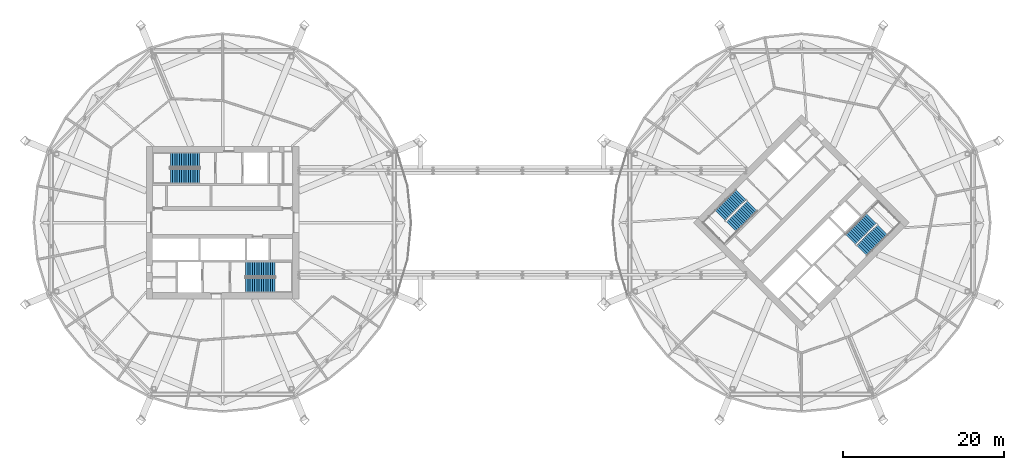
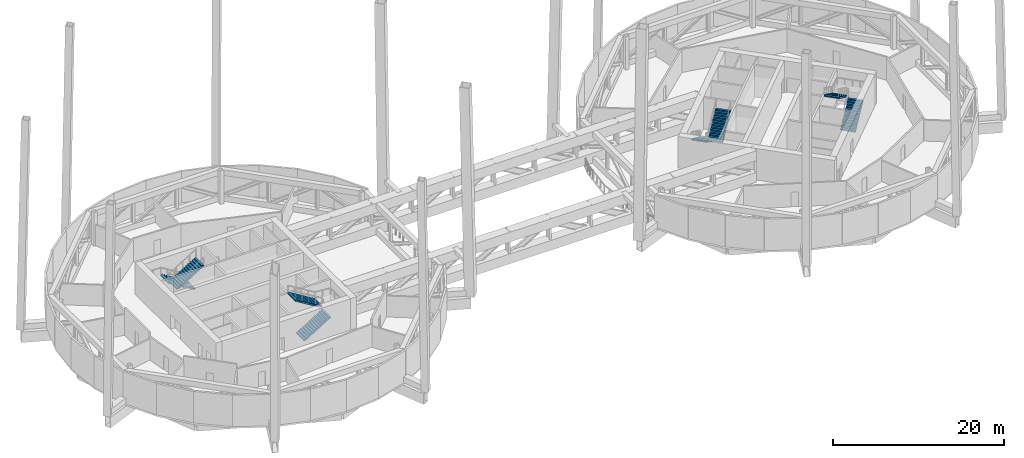
# One storey, part 17 of 19: 8 stair flights, 4 elements without a shape of their own.
"""IFC4 building model written with IfcOpenShell, lengths in metres."""

import ifcopenshell
import ifcopenshell.guid

model = None  # the IFC model being written
_history = None  # IfcOwnerHistory: only IFC2X3 demands one
_inside = {}  # id of a spatial element -> (the spatial element, [elements in it])
_under = {}  # id of a project, library or spatial element -> (it, [spatial elements below it])
_declared = {}  # id of a project -> (the project, [libraries it declares])
_typed = {}  # id of a type object -> (the type object, [elements of that type])
_made_of = {}  # id of a material, layer set ... -> (it, [elements and type objects made of it])


def new_model(schema):
    """Start an empty IFC model of exactly this schema.

    Asked for "IFC4X3", IfcOpenShell would pick the latest addendum, in which some entities
    have other attributes; the version numbers below select the first issue.
    IFC2X3 requires an IfcOwnerHistory on every rooted entity: one is made here for all.
    """
    global model, _history
    if schema == "IFC4X3":
        model = ifcopenshell.file(schema_version=(4, 3, 0, 0))
    else:
        model = ifcopenshell.file(schema=schema)
    _inside.clear()
    _under.clear()
    _declared.clear()
    _typed.clear()
    _made_of.clear()
    _history = None
    if model.schema == "IFC2X3":
        org = make("IfcOrganization", Name="unknown")
        user = make(
            "IfcPersonAndOrganization",
            ThePerson=make("IfcPerson", FamilyName="unknown"),
            TheOrganization=org,
        )
        app = make(
            "IfcApplication",
            ApplicationDeveloper=org,
            Version="unknown",
            ApplicationFullName="unknown",
            ApplicationIdentifier="unknown",
        )
        _history = make(
            "IfcOwnerHistory",
            OwningUser=user,
            OwningApplication=app,
            ChangeAction="ADDED",
            CreationDate=0,
        )
    return model


def make(cls, **values):
    """One entity of the class cls with the attributes given. An attribute that is None is left unset."""
    return model.create_entity(
        cls, **{name: value for name, value in values.items() if value is not None}
    )


def rooted(cls, **values):
    """An entity with a GlobalId (a new one), such as an element, a storey or a relation."""
    return make(cls, GlobalId=ifcopenshell.guid.new(), OwnerHistory=_history, **values)


def si_unit(unit_type, name, prefix=None):
    """IfcSIUnit, for example si_unit("LENGTHUNIT", "METRE", prefix="MILLI")."""
    return make("IfcSIUnit", UnitType=unit_type, Prefix=prefix, Name=name)


def assignment(units):
    """IfcUnitAssignment: the units of a project."""
    return None if units is None else make("IfcUnitAssignment", Units=units)


def point(xyz):
    """IfcCartesianPoint."""
    return None if xyz is None else make("IfcCartesianPoint", Coordinates=xyz)


def direction(xyz):
    """IfcDirection."""
    return None if xyz is None else make("IfcDirection", DirectionRatios=xyz)


def frame(location, z_axis=None, x_axis=None):
    """IfcAxis2Placement3D, a coordinate frame: its origin and axes. An axis left out is left unset."""
    return make(
        "IfcAxis2Placement3D",
        Location=point(location),
        Axis=direction(z_axis),
        RefDirection=direction(x_axis),
    )


def origin():
    """The frame at (0, 0, 0) with its axes left unset."""
    return frame((0.0, 0.0, 0.0))


def place(relative_to, where):
    """IfcLocalPlacement: puts the frame where relative to a parent placement (None: the world)."""
    return make(
        "IfcLocalPlacement", PlacementRelTo=relative_to, RelativePlacement=where
    )


def context(
    kind, dimensions, precision=None, world=None, true_north=None, identifier=None
):
    """IfcGeometricRepresentationContext, for example the 3D "Model" context."""
    return make(
        "IfcGeometricRepresentationContext",
        ContextIdentifier=identifier,
        ContextType=kind,
        CoordinateSpaceDimension=dimensions,
        Precision=precision,
        WorldCoordinateSystem=world,
        TrueNorth=true_north,
    )


def subcontext(parent, identifier, kind, view, scale=None):
    """IfcGeometricRepresentationSubContext, for example "Body" below "Model"."""
    return make(
        "IfcGeometricRepresentationSubContext",
        ContextIdentifier=identifier,
        ContextType=kind,
        ParentContext=parent,
        TargetScale=scale,
        TargetView=view,
    )


def project(units=None, contexts=None):
    """IfcProject with its units and contexts."""
    return rooted(
        "IfcProject",
        Name="project",
        RepresentationContexts=contexts,
        UnitsInContext=assignment(units),
    )


def spatial(cls, under=None, at=None, **own):
    """A site, building, storey or space (cls), placed at a placement, below another one or the project."""
    s = rooted(cls, ObjectPlacement=at, **own)
    if under is not None:
        _under.setdefault(under.id(), (under, []))[1].append(s)
    return s


def polyline(points):
    """IfcPolyline through the points."""
    return make("IfcPolyline", Points=[point(p) for p in points])


def outline(outer, holes=None, kind="AREA"):
    """IfcArbitraryClosedProfileDef: a profile drawn as a closed curve; with holes, ...WithVoids."""
    if holes is None:
        return make("IfcArbitraryClosedProfileDef", ProfileType=kind, OuterCurve=outer)
    return make(
        "IfcArbitraryProfileDefWithVoids",
        ProfileType=kind,
        OuterCurve=outer,
        InnerCurves=holes,
    )


def extrude(swept, where, along, depth):
    """IfcExtrudedAreaSolid: the profile swept, set in the frame where, extruded along a direction by depth."""
    return make(
        "IfcExtrudedAreaSolid",
        SweptArea=swept,
        Position=where,
        ExtrudedDirection=direction(along),
        Depth=depth,
    )


def shape(context_of_items, identifier, shape_type, items):
    """IfcShapeRepresentation: the items that make up one representation, for example the "Body"."""
    return make(
        "IfcShapeRepresentation",
        ContextOfItems=context_of_items,
        RepresentationIdentifier=identifier,
        RepresentationType=shape_type,
        Items=items,
    )


def material(Name=None, Category=None):
    """IfcMaterial."""
    return make("IfcMaterial", Name=Name, Category=Category)


def made_of(thing, what):
    """Note that an element or type object is made of a material, layer set ...; save() writes the relation."""
    if what is not None:
        _made_of.setdefault(what.id(), (what, []))[1].append(thing)
    return thing


def type_object(cls, material=None, **own):
    """A type object (cls), such as IfcWallType, which elements share."""
    return made_of(rooted(cls, **own), material)


def element(
    cls,
    number,
    at=None,
    inside=None,
    cuts=None,
    type_object=None,
    material=None,
    context=None,
    identifier="Body",
    shape_type=None,
    held_by="IfcProductDefinitionShape",
    body=None,
    shapes=None,
    **own,
):
    """One element of the class cls, such as IfcWall. Its Tag is "e" and its number.

    at: its placement. inside: the storey or other place that contains it. cuts: it is an
    opening in that element (IfcRelVoidsElement). A single representation is given by context,
    identifier, shape_type and body (its items); several are given by shapes. held_by: the class
    of the entity that holds the representations. save() writes the other relations.
    """
    e = rooted(cls, Tag="e%d" % number, ObjectPlacement=at, **own)
    if body is not None:
        shapes = [shape(context, identifier, shape_type, body)]
    if shapes is not None:
        e.Representation = make(held_by, Representations=shapes)
    if inside is not None:
        _inside.setdefault(inside.id(), (inside, []))[1].append(e)
    if cuts is not None:
        rooted(
            "IfcRelVoidsElement", RelatingBuildingElement=cuts, RelatedOpeningElement=e
        )
    if type_object is not None:
        _typed.setdefault(type_object.id(), (type_object, []))[1].append(e)
    return made_of(e, material)


def aggregate(whole, parts):
    """IfcRelAggregates: a whole, such as a stair, and the parts it consists of."""
    return rooted("IfcRelAggregates", RelatingObject=whole, RelatedObjects=parts)


def save(model, path):
    """Write the relations noted so far, then the file.

    IfcRelAggregates (storeys below a building ...), IfcRelContainedInSpatialStructure (elements
    in a storey), IfcRelDefinesByType, IfcRelAssociatesMaterial and IfcRelDeclares: one each for
    every whole, place, type object, material and project.
    """
    for whole, parts in _under.values():
        aggregate(whole, parts)
    for where, things in _inside.values():
        rooted(
            "IfcRelContainedInSpatialStructure",
            RelatedElements=things,
            RelatingStructure=where,
        )
    for kind, things in _typed.values():
        rooted("IfcRelDefinesByType", RelatedObjects=things, RelatingType=kind)
    for what, things in _made_of.values():
        rooted("IfcRelAssociatesMaterial", RelatedObjects=things, RelatingMaterial=what)
    for by, libraries in _declared.values():
        rooted("IfcRelDeclares", RelatingContext=by, RelatedDefinitions=libraries)
    model.write(path)


model = new_model("IFC4")

# Units and contexts
model_context = context("Model", 3, precision=1e-05, world=origin(), true_north=direction((0.0, 1.0)))
body_context = subcontext(model_context, "Body", "Model", "MODEL_VIEW")
ifc_project = project(units=[si_unit("LENGTHUNIT", "METRE"), si_unit("AREAUNIT", "SQUARE_METRE"), si_unit("VOLUMEUNIT", "CUBIC_METRE"), si_unit("PLANEANGLEUNIT", "RADIAN"), si_unit("MASSUNIT", "GRAM", prefix="KILO")], contexts=[model_context])

# Site, building, storey
site_placement = place(None, origin())
site = spatial("IfcSite", under=ifc_project, at=site_placement, CompositionType="ELEMENT")
building_placement = place(site_placement, origin())
building = spatial("IfcBuilding", under=site, at=building_placement, Name="Ogive Gate Towers", CompositionType="ELEMENT")
storey_placement = place(building_placement, frame((0.0, 0.0, 130.800048828125)))
storey = spatial("IfcBuildingStorey", under=building, at=storey_placement, Name="L31", CompositionType="ELEMENT", Elevation=130.800048828125)

# Stair, stair flights
ifc_material = material(Name="Concrete C40/50", Category="concrete")
stair_type = type_object("IfcStairType", Name="Escape stair 1840 wide", PredefinedType="HALF_TURN_STAIR", material=ifc_material)
stair_1_placement = place(storey_placement, origin())
stair_1 = element("IfcStair", 1, at=stair_1_placement, inside=storey, type_object=stair_type, Name="L31 Escape stair 1", PredefinedType="HALF_TURN_STAIR")
stair_flight_type = type_object("IfcStairFlightType", Name="Stair flight 1840 wide", PredefinedType="STRAIGHT", material=ifc_material)
stair_flight_1_placement = place(storey_placement, frame((-38.864990234375, 7.780029296875, 0.0), z_axis=(0.0, 0.0, 1.0), x_axis=(-1.0, 0.0, 0.0)))
stair_flight_1 = element("IfcStairFlight", 2, at=stair_flight_1_placement, type_object=stair_flight_type, Name="ST1 flight 1", NumberOfRisers=14, NumberOfTreads=13, PredefinedType="STRAIGHT", RiserHeight=0.171428571, TreadLength=0.28, context=body_context, shape_type="SweptSolid", body=[
    extrude(outline(polyline([(0.0, 0.0), (0.0, 0.17138671875), (0.280029296875, 0.17138671875), (0.280029296875, 0.3427734375), (0.56005859375, 0.3427734375), (0.56005859375, 0.514404296875), (0.840087890625, 0.514404296875), (0.840087890625, 0.685791015625), (1.1201171875, 0.685791015625), (1.1201171875, 0.857177734375), (1.39990234375, 0.857177734375), (1.39990234375, 1.028564453125), (1.679931640625, 1.028564453125), (1.679931640625, 1.199951171875), (1.9599609375, 1.199951171875), (1.9599609375, 1.371337890625), (2.239990234375, 1.371337890625), (2.239990234375, 1.54296875), (2.52001953125, 1.54296875), (2.52001953125, 1.71435546875), (2.800048828125, 1.71435546875), (2.800048828125, 1.8857421875), (3.080078125, 1.8857421875), (3.080078125, 2.05712890625), (3.360107421875, 2.05712890625), (3.360107421875, 2.228515625), (3.639892578125, 2.228515625), (3.639892578125, 2.39990234375), (3.639892578125, 2.052734375), (0.287109375, 0.0), (0.0, 0.0)])), frame((0.0, 0.919921875, 0.0), z_axis=(0.0, -1.0, 0.0), x_axis=(1.0, 0.0, 0.0)), (0.0, 0.0, 1.0), 1.840087890625),
])
stair_flight_2_placement = place(storey_placement, frame((-42.5048828125, 5.794921875, 2.39990234375), z_axis=(0.0, 0.0, 1.0), x_axis=(1.0, 0.0, 0.0)))
stair_flight_2 = element("IfcStairFlight", 3, at=stair_flight_2_placement, type_object=stair_flight_type, Name="ST1 flight 2", NumberOfRisers=14, NumberOfTreads=13, PredefinedType="STRAIGHT", RiserHeight=0.171428571, TreadLength=0.28, context=body_context, shape_type="SweptSolid", body=[
    extrude(outline(polyline([(0.0, 0.0), (0.0, 0.17138671875), (0.280029296875, 0.17138671875), (0.280029296875, 0.3427734375), (0.56005859375, 0.3427734375), (0.56005859375, 0.514404296875), (0.840087890625, 0.514404296875), (0.840087890625, 0.685791015625), (1.1201171875, 0.685791015625), (1.1201171875, 0.857177734375), (1.39990234375, 0.857177734375), (1.39990234375, 1.028564453125), (1.679931640625, 1.028564453125), (1.679931640625, 1.199951171875), (1.9599609375, 1.199951171875), (1.9599609375, 1.371337890625), (2.239990234375, 1.371337890625), (2.239990234375, 1.54296875), (2.52001953125, 1.54296875), (2.52001953125, 1.71435546875), (2.800048828125, 1.71435546875), (2.800048828125, 1.8857421875), (3.080078125, 1.8857421875), (3.080078125, 2.05712890625), (3.360107421875, 2.05712890625), (3.360107421875, 2.228515625), (3.639892578125, 2.228515625), (3.639892578125, 2.39990234375), (3.639892578125, 2.052734375), (0.287109375, 0.0), (0.0, 0.0)])), frame((0.0, 0.919921875, 0.0), z_axis=(0.0, -1.0, 0.0), x_axis=(1.0, 0.0, 0.0)), (0.0, 0.0, 1.0), 1.840087890625),
])
aggregate(stair_1, [stair_flight_1, stair_flight_2])

stair_2_placement = place(storey_placement, origin())
stair_2 = element("IfcStair", 4, at=stair_2_placement, inside=storey, type_object=stair_type, Name="L31 Escape stair 2", PredefinedType="HALF_TURN_STAIR")
stair_flight_3_placement = place(storey_placement, frame((-33.135009765625, -7.780029296875, 0.0), z_axis=(0.0, 0.0, 1.0), x_axis=(1.0, 0.0, 0.0)))
stair_flight_3 = element("IfcStairFlight", 5, at=stair_flight_3_placement, type_object=stair_flight_type, Name="ST2 flight 1", NumberOfRisers=14, NumberOfTreads=13, PredefinedType="STRAIGHT", RiserHeight=0.171428571, TreadLength=0.28, context=body_context, shape_type="SweptSolid", body=[
    extrude(outline(polyline([(0.0, 0.0), (0.0, 0.17138671875), (0.280029296875, 0.17138671875), (0.280029296875, 0.3427734375), (0.56005859375, 0.3427734375), (0.56005859375, 0.514404296875), (0.840087890625, 0.514404296875), (0.840087890625, 0.685791015625), (1.1201171875, 0.685791015625), (1.1201171875, 0.857177734375), (1.39990234375, 0.857177734375), (1.39990234375, 1.028564453125), (1.679931640625, 1.028564453125), (1.679931640625, 1.199951171875), (1.9599609375, 1.199951171875), (1.9599609375, 1.371337890625), (2.239990234375, 1.371337890625), (2.239990234375, 1.54296875), (2.52001953125, 1.54296875), (2.52001953125, 1.71435546875), (2.800048828125, 1.71435546875), (2.800048828125, 1.8857421875), (3.080078125, 1.8857421875), (3.080078125, 2.05712890625), (3.360107421875, 2.05712890625), (3.360107421875, 2.228515625), (3.639892578125, 2.228515625), (3.639892578125, 2.39990234375), (3.639892578125, 2.052734375), (0.287109375, 0.0), (0.0, 0.0)])), frame((0.0, 0.919921875, 0.0), z_axis=(0.0, -1.0, 0.0), x_axis=(1.0, 0.0, 0.0)), (0.0, 0.0, 1.0), 1.840087890625),
])
stair_flight_4_placement = place(storey_placement, frame((-29.4951171875, -5.794921875, 2.39990234375), z_axis=(0.0, 0.0, 1.0), x_axis=(-1.0, 0.0, 0.0)))
stair_flight_4 = element("IfcStairFlight", 6, at=stair_flight_4_placement, type_object=stair_flight_type, Name="ST2 flight 2", NumberOfRisers=14, NumberOfTreads=13, PredefinedType="STRAIGHT", RiserHeight=0.171428571, TreadLength=0.28, context=body_context, shape_type="SweptSolid", body=[
    extrude(outline(polyline([(0.0, 0.0), (0.0, 0.17138671875), (0.280029296875, 0.17138671875), (0.280029296875, 0.3427734375), (0.56005859375, 0.3427734375), (0.56005859375, 0.514404296875), (0.840087890625, 0.514404296875), (0.840087890625, 0.685791015625), (1.1201171875, 0.685791015625), (1.1201171875, 0.857177734375), (1.39990234375, 0.857177734375), (1.39990234375, 1.028564453125), (1.679931640625, 1.028564453125), (1.679931640625, 1.199951171875), (1.9599609375, 1.199951171875), (1.9599609375, 1.371337890625), (2.239990234375, 1.371337890625), (2.239990234375, 1.54296875), (2.52001953125, 1.54296875), (2.52001953125, 1.71435546875), (2.800048828125, 1.71435546875), (2.800048828125, 1.8857421875), (3.080078125, 1.8857421875), (3.080078125, 2.05712890625), (3.360107421875, 2.05712890625), (3.360107421875, 2.228515625), (3.639892578125, 2.228515625), (3.639892578125, 2.39990234375), (3.639892578125, 2.052734375), (0.287109375, 0.0), (0.0, 0.0)])), frame((0.0, 0.919921875, 0.0), z_axis=(0.0, -1.0, 0.0), x_axis=(1.0, 0.0, 0.0)), (0.0, 0.0, 1.0), 1.840087890625),
])
aggregate(stair_2, [stair_flight_3, stair_flight_4])

stair_3_placement = place(storey_placement, origin())
stair_3 = element("IfcStair", 7, at=stair_3_placement, inside=storey, type_object=stair_type, Name="L31 Escape stair 1", PredefinedType="HALF_TURN_STAIR")
stair_flight_5_placement = place(storey_placement, frame((28.472900390625, 3.475341796875, 0.0), z_axis=(0.0, 0.0, 1.0), x_axis=(-0.707106781187, -0.707106781187, 0.0)))
stair_flight_5 = element("IfcStairFlight", 8, at=stair_flight_5_placement, type_object=stair_flight_type, Name="ST1 flight 1", NumberOfRisers=14, NumberOfTreads=13, PredefinedType="STRAIGHT", RiserHeight=0.171428571, TreadLength=0.28, context=body_context, shape_type="SweptSolid", body=[
    extrude(outline(polyline([(0.0, 0.0), (0.0, 0.17138671875), (0.280029296875, 0.17138671875), (0.280029296875, 0.3427734375), (0.56005859375, 0.3427734375), (0.56005859375, 0.514404296875), (0.840087890625, 0.514404296875), (0.840087890625, 0.685791015625), (1.1201171875, 0.685791015625), (1.1201171875, 0.857177734375), (1.39990234375, 0.857177734375), (1.39990234375, 1.028564453125), (1.679931640625, 1.028564453125), (1.679931640625, 1.199951171875), (1.9599609375, 1.199951171875), (1.9599609375, 1.371337890625), (2.239990234375, 1.371337890625), (2.239990234375, 1.54296875), (2.52001953125, 1.54296875), (2.52001953125, 1.71435546875), (2.800048828125, 1.71435546875), (2.800048828125, 1.8857421875), (3.080078125, 1.8857421875), (3.080078125, 2.05712890625), (3.360107421875, 2.05712890625), (3.360107421875, 2.228515625), (3.639892578125, 2.228515625), (3.639892578125, 2.39990234375), (3.639892578125, 2.052734375), (0.287109375, 0.0), (0.0, 0.0)])), frame((0.0, 0.919921875, 0.0), z_axis=(0.0, -1.0, 0.0), x_axis=(1.0, 0.0, 0.0)), (0.0, 0.0, 1.0), 1.840087890625),
])
stair_flight_6_placement = place(storey_placement, frame((27.302490234375, -0.501953125, 2.39990234375), z_axis=(0.0, 0.0, 1.0), x_axis=(0.707106781187, 0.707106781187, 0.0)))
stair_flight_6 = element("IfcStairFlight", 9, at=stair_flight_6_placement, type_object=stair_flight_type, Name="ST1 flight 2", NumberOfRisers=14, NumberOfTreads=13, PredefinedType="STRAIGHT", RiserHeight=0.171428571, TreadLength=0.28, context=body_context, shape_type="SweptSolid", body=[
    extrude(outline(polyline([(0.0, 0.0), (0.0, 0.17138671875), (0.280029296875, 0.17138671875), (0.280029296875, 0.3427734375), (0.56005859375, 0.3427734375), (0.56005859375, 0.514404296875), (0.840087890625, 0.514404296875), (0.840087890625, 0.685791015625), (1.1201171875, 0.685791015625), (1.1201171875, 0.857177734375), (1.39990234375, 0.857177734375), (1.39990234375, 1.028564453125), (1.679931640625, 1.028564453125), (1.679931640625, 1.199951171875), (1.9599609375, 1.199951171875), (1.9599609375, 1.371337890625), (2.239990234375, 1.371337890625), (2.239990234375, 1.54296875), (2.52001953125, 1.54296875), (2.52001953125, 1.71435546875), (2.800048828125, 1.71435546875), (2.800048828125, 1.8857421875), (3.080078125, 1.8857421875), (3.080078125, 2.05712890625), (3.360107421875, 2.05712890625), (3.360107421875, 2.228515625), (3.639892578125, 2.228515625), (3.639892578125, 2.39990234375), (3.639892578125, 2.052734375), (0.287109375, 0.0), (0.0, 0.0)])), frame((0.0, 0.919921875, 0.0), z_axis=(0.0, -1.0, 0.0), x_axis=(1.0, 0.0, 0.0)), (0.0, 0.0, 1.0), 1.840087890625),
])
aggregate(stair_3, [stair_flight_5, stair_flight_6])

stair_4_placement = place(storey_placement, origin())
stair_4 = element("IfcStair", 10, at=stair_4_placement, inside=storey, type_object=stair_type, Name="L31 Escape stair 2", PredefinedType="HALF_TURN_STAIR")
stair_flight_7_placement = place(storey_placement, frame((43.527099609375, -3.475341796875, 0.0), z_axis=(0.0, 0.0, 1.0), x_axis=(0.707106781187, 0.707106781187, 0.0)))
stair_flight_7 = element("IfcStairFlight", 11, at=stair_flight_7_placement, type_object=stair_flight_type, Name="ST2 flight 1", NumberOfRisers=14, NumberOfTreads=13, PredefinedType="STRAIGHT", RiserHeight=0.171428571, TreadLength=0.28, context=body_context, shape_type="SweptSolid", body=[
    extrude(outline(polyline([(0.0, 0.0), (0.0, 0.17138671875), (0.280029296875, 0.17138671875), (0.280029296875, 0.3427734375), (0.56005859375, 0.3427734375), (0.56005859375, 0.514404296875), (0.840087890625, 0.514404296875), (0.840087890625, 0.685791015625), (1.1201171875, 0.685791015625), (1.1201171875, 0.857177734375), (1.39990234375, 0.857177734375), (1.39990234375, 1.028564453125), (1.679931640625, 1.028564453125), (1.679931640625, 1.199951171875), (1.9599609375, 1.199951171875), (1.9599609375, 1.371337890625), (2.239990234375, 1.371337890625), (2.239990234375, 1.54296875), (2.52001953125, 1.54296875), (2.52001953125, 1.71435546875), (2.800048828125, 1.71435546875), (2.800048828125, 1.8857421875), (3.080078125, 1.8857421875), (3.080078125, 2.05712890625), (3.360107421875, 2.05712890625), (3.360107421875, 2.228515625), (3.639892578125, 2.228515625), (3.639892578125, 2.39990234375), (3.639892578125, 2.052734375), (0.287109375, 0.0), (0.0, 0.0)])), frame((0.0, 0.919921875, 0.0), z_axis=(0.0, -1.0, 0.0), x_axis=(1.0, 0.0, 0.0)), (0.0, 0.0, 1.0), 1.840087890625),
])
stair_flight_8_placement = place(storey_placement, frame((44.697509765625, 0.501953125, 2.39990234375), z_axis=(0.0, 0.0, 1.0), x_axis=(-0.707106781187, -0.707106781187, 0.0)))
stair_flight_8 = element("IfcStairFlight", 12, at=stair_flight_8_placement, type_object=stair_flight_type, Name="ST2 flight 2", NumberOfRisers=14, NumberOfTreads=13, PredefinedType="STRAIGHT", RiserHeight=0.171428571, TreadLength=0.28, context=body_context, shape_type="SweptSolid", body=[
    extrude(outline(polyline([(0.0, 0.0), (0.0, 0.17138671875), (0.280029296875, 0.17138671875), (0.280029296875, 0.3427734375), (0.56005859375, 0.3427734375), (0.56005859375, 0.514404296875), (0.840087890625, 0.514404296875), (0.840087890625, 0.685791015625), (1.1201171875, 0.685791015625), (1.1201171875, 0.857177734375), (1.39990234375, 0.857177734375), (1.39990234375, 1.028564453125), (1.679931640625, 1.028564453125), (1.679931640625, 1.199951171875), (1.9599609375, 1.199951171875), (1.9599609375, 1.371337890625), (2.239990234375, 1.371337890625), (2.239990234375, 1.54296875), (2.52001953125, 1.54296875), (2.52001953125, 1.71435546875), (2.800048828125, 1.71435546875), (2.800048828125, 1.8857421875), (3.080078125, 1.8857421875), (3.080078125, 2.05712890625), (3.360107421875, 2.05712890625), (3.360107421875, 2.228515625), (3.639892578125, 2.228515625), (3.639892578125, 2.39990234375), (3.639892578125, 2.052734375), (0.287109375, 0.0), (0.0, 0.0)])), frame((0.0, 0.919921875, 0.0), z_axis=(0.0, -1.0, 0.0), x_axis=(1.0, 0.0, 0.0)), (0.0, 0.0, 1.0), 1.840087890625),
])
aggregate(stair_4, [stair_flight_7, stair_flight_8])

save(model, "model.ifc")
